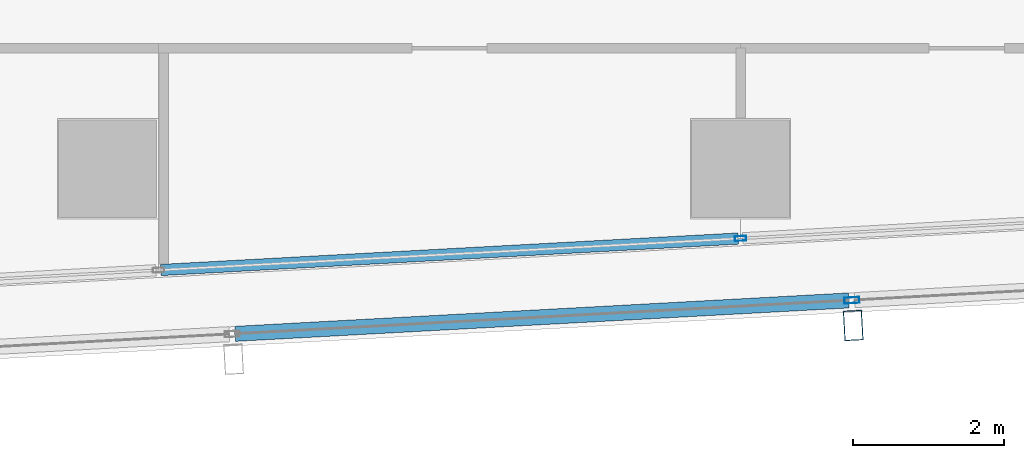
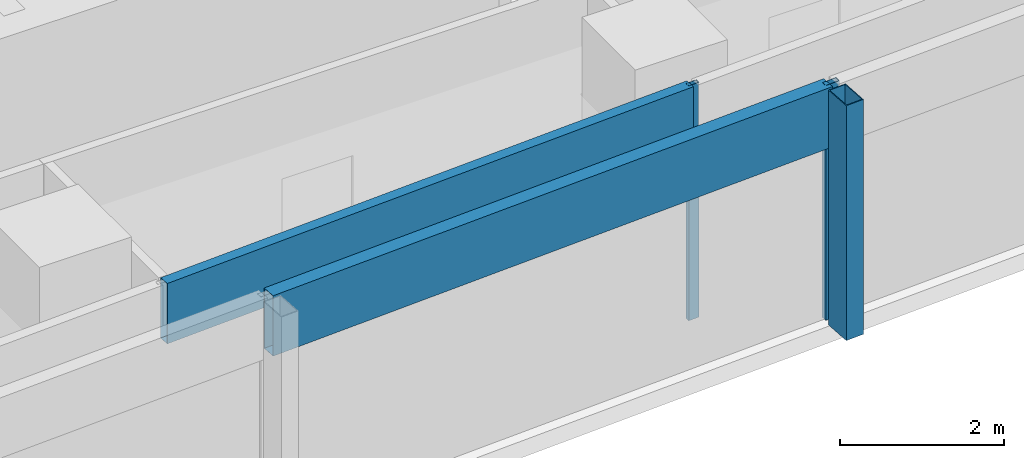
# One storey, part 10 of 29: 5 members, 2 elements without a shape of their own.
"""IFC4 building model written with IfcOpenShell, lengths in metres."""

from ifc_helpers import new_model, si_unit, direction, frame, origin, origin_2d, place, context, subcontext, project, spatial, hollow_rectangle, extrude, material, material_profile, profile_set, type_object, element, aggregate, save


model = new_model("IFC4")

# Units and contexts
model_context = context("Model", 3, precision=1e-05, world=origin(), true_north=direction((0.0, 1.0)))
body_context = subcontext(model_context, "Body", "Model", "MODEL_VIEW")
ifc_project = project(units=[si_unit("LENGTHUNIT", "METRE"), si_unit("AREAUNIT", "SQUARE_METRE"), si_unit("VOLUMEUNIT", "CUBIC_METRE"), si_unit("PLANEANGLEUNIT", "RADIAN"), si_unit("MASSUNIT", "GRAM", prefix="KILO")], contexts=[model_context])

# Site, building, storey
site_placement = place(None, origin())
site = spatial("IfcSite", under=ifc_project, at=site_placement, CompositionType="ELEMENT")
building_placement = place(site_placement, origin())
building = spatial("IfcBuilding", under=site, at=building_placement, Name="Rekha Terrace Tower", CompositionType="ELEMENT")
storey_placement = place(building_placement, frame((0.0, 0.0, 280.10009765625)))
storey = spatial("IfcBuildingStorey", under=building, at=storey_placement, Name="L71", CompositionType="ELEMENT", Elevation=280.10009765625)

# Curtain wall, member
ifc_material_1 = material(Name="Aluminium framing", Category="aluminium")
curtain_wall_type_1 = type_object("IfcCurtainWallType", Name="CW2 double skin outer glazing", PredefinedType="USERDEFINED", material=ifc_material_1)
curtain_wall_1_placement = place(storey_placement, origin())
curtain_wall_1 = element("IfcCurtainWall", 1, at=curtain_wall_1_placement, inside=storey, type_object=curtain_wall_type_1, Name="CW2 double skin outer glazing", ObjectType="DOUBLE SKIN OUTER GLAZING", PredefinedType="USERDEFINED")
ifc_material_2 = material(Name="Steel S355 with fluorocarbon finish", Category="steel")
ifc_material_profile_1 = material_profile(ifc_material_2, hollow_rectangle(XDim=0.25, YDim=0.39990234375, WallThickness=0.012451171875, at=origin_2d()), Name="RHS400x250x12.5")
ifc_profile_set_1 = profile_set([ifc_material_profile_1], Name="Steel S355 with fluorocarbon finish")
member_type_1 = type_object("IfcMemberType", Name="BL1 facade blade RHS 400 x 250", PredefinedType="USERDEFINED", material=ifc_profile_set_1)
member_1_placement = place(storey_placement, frame((51.894775390625, 14.719482421875, 0.0), z_axis=(0.0, 0.0, 1.0), x_axis=(0.99851982155, 0.054389024366, 0.0)))
member_1 = element("IfcMember", 2, at=member_1_placement, type_object=member_type_1, Name="Facade blade", ObjectType="FACADE BLADE", PredefinedType="USERDEFINED", context=body_context, shape_type="SweptSolid", body=[
    extrude(hollow_rectangle(XDim=0.25, YDim=0.39990234375, WallThickness=0.012451171875, at=origin_2d()), origin(), (0.0, 0.0, 1.0), 3.5),
])

# Curtain wall, members
curtain_wall_type_2 = type_object("IfcCurtainWallType", Name="CW1 double skin inner glazing", PredefinedType="USERDEFINED", material=ifc_material_1)
curtain_wall_2_placement = place(storey_placement, origin())
curtain_wall_2 = element("IfcCurtainWall", 3, at=curtain_wall_2_placement, inside=storey, type_object=curtain_wall_type_2, Name="CW1 double skin inner glazing", ObjectType="DOUBLE SKIN INNER GLAZING", PredefinedType="USERDEFINED")
ifc_material_3 = material(Name="Aluminium mullion section", Category="aluminium")
ifc_material_profile_2 = material_profile(ifc_material_3, hollow_rectangle(XDim=0.06494140625, YDim=0.14990234375, WallThickness=0.00390625, at=origin_2d()), Name="AL RHS 65x150")
ifc_profile_set_2 = profile_set([ifc_material_profile_2], Name="Aluminium mullion section")
member_type_2 = type_object("IfcMemberType", Name="CW1 mullion RHS 65 x 150", PredefinedType="MULLION", material=ifc_profile_set_2)
member_2_placement = place(storey_placement, frame((50.399169921875, 15.875, 0.0), z_axis=(0.0, 0.0, 1.0), x_axis=(-0.054388903036, 0.998519828159, 0.0)))
member_2 = element("IfcMember", 4, at=member_2_placement, type_object=member_type_2, Name="CW1 mullion 4", PredefinedType="MULLION", context=body_context, shape_type="SweptSolid", body=[
    extrude(hollow_rectangle(XDim=0.06494140625, YDim=0.14990234375, WallThickness=0.00390625, at=origin_2d()), origin(), (0.0, 0.0, 1.0), 3.5),
])
ifc_material_4 = material(Name="Insulated aluminium spandrel box", Category="aluminium")
ifc_material_profile_3 = material_profile(ifc_material_4, hollow_rectangle(XDim=0.14990234375, YDim=0.89990234375, WallThickness=0.0029296875, at=origin_2d()), Name="AL SPANDREL BOX 150x900")
ifc_profile_set_3 = profile_set([ifc_material_profile_3], Name="Insulated aluminium spandrel box")
member_type_3 = type_object("IfcMemberType", Name="CW1 spandrel transom 150 x 900", PredefinedType="USERDEFINED", material=ifc_profile_set_3)
member_3_placement = place(storey_placement, frame((42.7060546875, 15.4560546875, 3.0498046875), z_axis=(0.998520078442, 0.054384307925, 0.0), x_axis=(-0.054384307925, 0.998520078442, 0.0)))
member_3 = element("IfcMember", 5, at=member_3_placement, type_object=member_type_3, Name="CW1 spandrel transom 3", ObjectType="TRANSOM", PredefinedType="USERDEFINED", context=body_context, shape_type="SweptSolid", body=[
    extrude(hollow_rectangle(XDim=0.14990234375, YDim=0.89990234375, WallThickness=0.0029296875, at=origin_2d()), origin(), (0.0, 0.0, 1.0), 7.672119140625),
])
aggregate(curtain_wall_2, [member_2, member_3])

# Member
ifc_material_profile_4 = material_profile(ifc_material_3, hollow_rectangle(XDim=0.080078125, YDim=0.199951171875, WallThickness=0.00390625, at=origin_2d()), Name="AL RHS 80x200")
ifc_profile_set_4 = profile_set([ifc_material_profile_4], Name="Aluminium mullion section")
member_type_4 = type_object("IfcMemberType", Name="CW2 mullion RHS 80 x 200", PredefinedType="MULLION", material=ifc_profile_set_4)
member_4_placement = place(storey_placement, frame((51.87646484375, 15.05419921875, 0.0), z_axis=(0.0, 0.0, 1.0), x_axis=(-0.054388903071, 0.998519828157, 0.0)))
member_4 = element("IfcMember", 6, at=member_4_placement, type_object=member_type_4, Name="CW2 mullion 4", PredefinedType="MULLION", context=body_context, shape_type="SweptSolid", body=[
    extrude(hollow_rectangle(XDim=0.080078125, YDim=0.199951171875, WallThickness=0.00390625, at=origin_2d()), origin(), (0.0, 0.0, 1.0), 3.5),
])

ifc_material_profile_5 = material_profile(ifc_material_4, hollow_rectangle(XDim=0.199951171875, YDim=0.89990234375, WallThickness=0.0029296875, at=origin_2d()), Name="AL SPANDREL BOX 200x900")
ifc_profile_set_5 = profile_set([ifc_material_profile_5], Name="Insulated aluminium spandrel box")
member_type_5 = type_object("IfcMemberType", Name="CW2 spandrel transom 200 x 900", PredefinedType="USERDEFINED", material=ifc_profile_set_5)
member_5_placement = place(storey_placement, frame((43.693115234375, 14.6083984375, 3.0498046875), z_axis=(0.998519642092, 0.054392318914, 0.0), x_axis=(-0.054392318914, 0.998519642092, 0.0)))
member_5 = element("IfcMember", 7, at=member_5_placement, type_object=member_type_5, Name="CW2 spandrel transom 3", ObjectType="TRANSOM", PredefinedType="USERDEFINED", context=body_context, shape_type="SweptSolid", body=[
    extrude(hollow_rectangle(XDim=0.199951171875, YDim=0.89990234375, WallThickness=0.0029296875, at=origin_2d()), origin(), (0.0, 0.0, 1.0), 8.155517578125),
])

aggregate(curtain_wall_1, [member_4, member_5, member_1])

save(model, "model.ifc")
